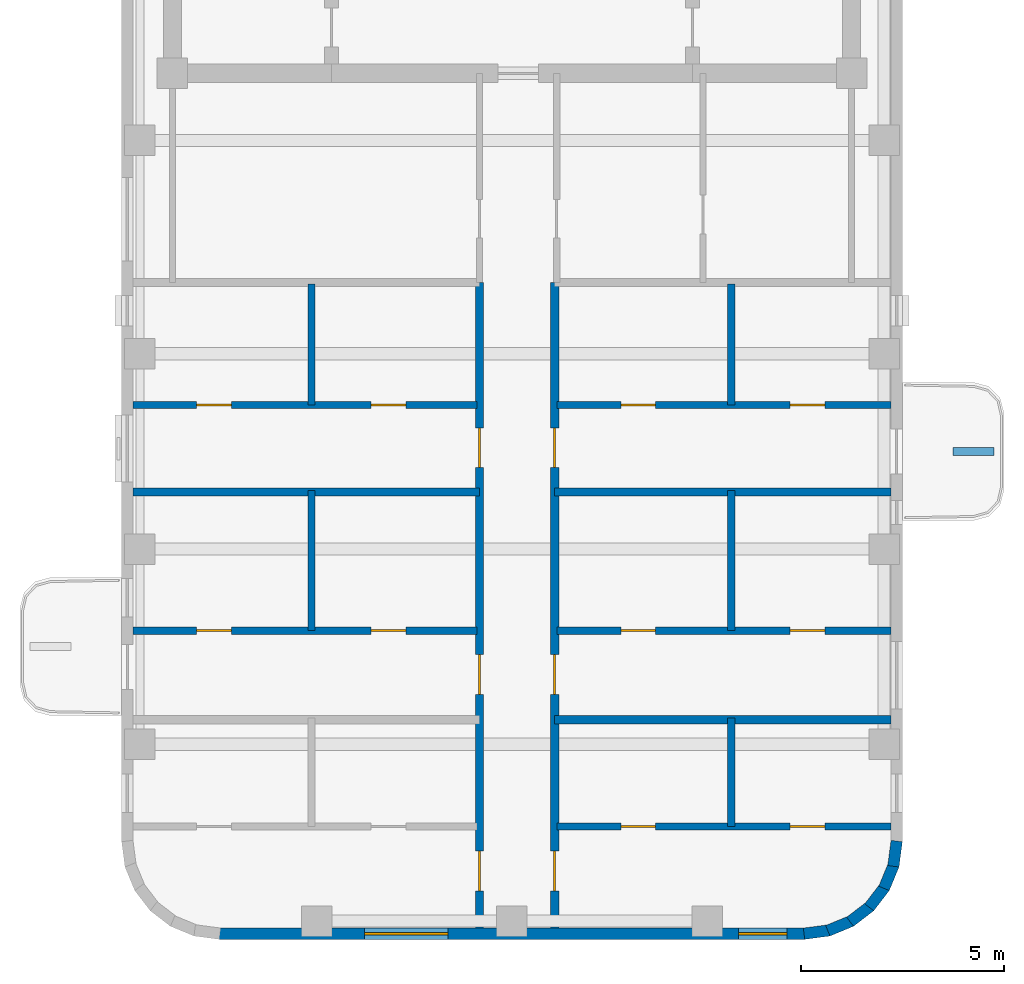
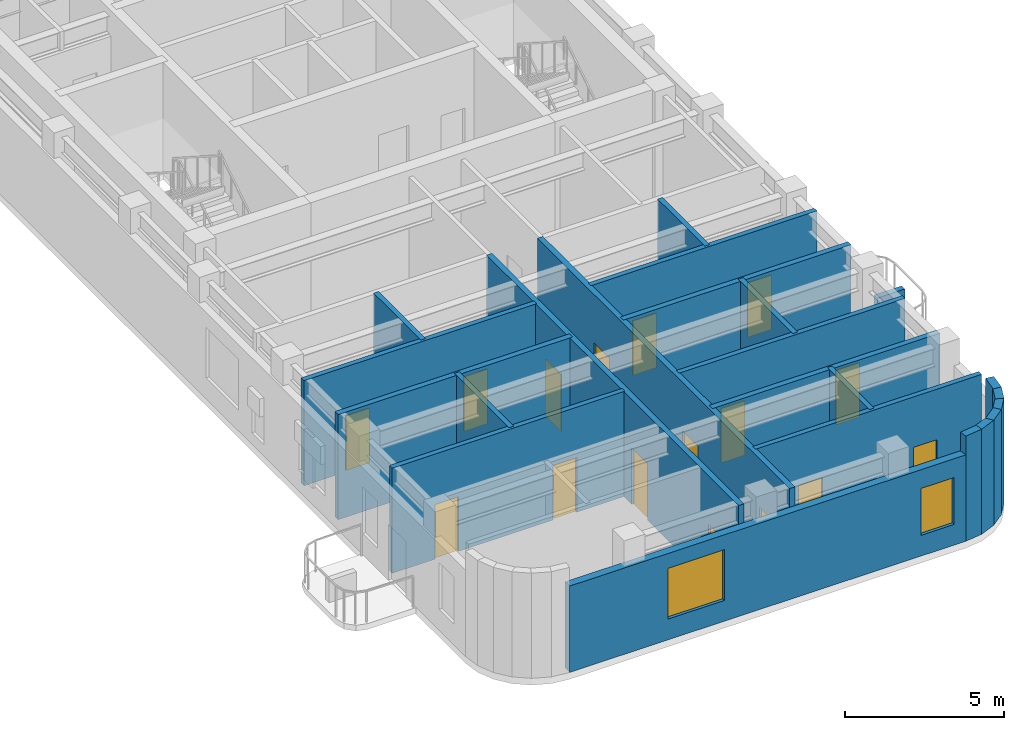
# One storey, part 2 of 6: 23 walls, 16 doors, 2 windows, 18 openings.
"""IFC4 building model written with IfcOpenShell, lengths in metres."""

from ifc_helpers import new_model, si_unit, direction, frame, frame_2d, origin, place, context, subcontext, project, spatial, rectangle, extrude, material, layer, layer_set, type_object, element, fill, save


model = new_model("IFC4")

# Units and contexts
model_context = context("Model", 3, precision=1e-05, world=origin(), true_north=direction((0.0, 1.0)))
body_context = subcontext(model_context, "Body", "Model", "MODEL_VIEW")
ifc_project = project(units=[si_unit("LENGTHUNIT", "METRE"), si_unit("AREAUNIT", "SQUARE_METRE"), si_unit("VOLUMEUNIT", "CUBIC_METRE"), si_unit("PLANEANGLEUNIT", "RADIAN"), si_unit("MASSUNIT", "GRAM", prefix="KILO")], contexts=[model_context])

# Site, building, storey
site_placement = place(None, origin())
site = spatial("IfcSite", under=ifc_project, at=site_placement, CompositionType="ELEMENT")
building_placement = place(site_placement, origin())
building = spatial("IfcBuilding", under=site, at=building_placement, Name="Orvandelia Arch Residences", CompositionType="ELEMENT")
storey_placement = place(building_placement, frame((0.0, 0.0, 248.39990234375)))
storey = spatial("IfcBuildingStorey", under=building, at=storey_placement, Name="L65", CompositionType="ELEMENT", Elevation=248.39990234375)

# Wall, openings, doors
ifc_material_1 = material(Name="Fire-Rated Corridor Partition")
ifc_layer_1 = layer(ifc_material_1, 0.199951171875, Name="Fire-Rated Corridor Partition")
ifc_layer_set_1 = layer_set([ifc_layer_1], Name="Fire-Rated Corridor Partition")
wall_type_1 = type_object("IfcWallType", Name="WL-CORR-200", PredefinedType="PARTITIONING", material=ifc_layer_set_1)
wall_1_placement = place(storey_placement, frame((13.60009765625, 9.8798828125, 0.0), z_axis=(0.0, 0.0, 1.0), x_axis=(0.0, 1.0, 0.0)))
wall_1 = element("IfcWall", 1, at=wall_1_placement, inside=storey, type_object=wall_type_1, Name="Interior Partition Wall WL-L65-WC-W", PredefinedType="PARTITIONING", context=body_context, shape_type="SweptSolid", body=[
    extrude(rectangle(XDim=15.8701171875, YDim=0.199951171875, at=frame_2d((7.93505859375, 0.0))), origin(), (0.0, 0.0, 1.0), 4.0400390625),
])
opening_1_placement = place(wall_1_placement, frame((0.907958984375, 0.0, 0.0)))
opening_1 = element("IfcOpeningElement", 2, at=opening_1_placement, cuts=wall_1, Name="Opening D1", PredefinedType="OPENING", context=body_context, shape_type="SweptSolid", body=[
    extrude(rectangle(XDim=0.97998046875, YDim=2.179931640625, at=frame_2d((0.489990234375, 1.08984375))), frame((0.0, 0.10986328125, 0.0), z_axis=(0.0, -1.0, 0.0), x_axis=(1.0, 0.0, 0.0)), (0.0, 0.0, 1.0), 0.219970703125),
])
opening_2_placement = place(wall_1_placement, frame((5.74609375, 0.0, 0.0)))
opening_2 = element("IfcOpeningElement", 3, at=opening_2_placement, cuts=wall_1, Name="Opening D1", PredefinedType="OPENING", context=body_context, shape_type="SweptSolid", body=[
    extrude(rectangle(XDim=0.97998046875, YDim=2.179931640625, at=frame_2d((0.489990234375, 1.08984375))), frame((0.0, 0.10986328125, 0.0), z_axis=(0.0, -1.0, 0.0), x_axis=(1.0, 0.0, 0.0)), (0.0, 0.0, 1.0), 0.219970703125),
])
opening_3_placement = place(wall_1_placement, frame((11.320068359375, 0.0, 0.0)))
opening_3 = element("IfcOpeningElement", 4, at=opening_3_placement, cuts=wall_1, Name="Opening D1", PredefinedType="OPENING", context=body_context, shape_type="SweptSolid", body=[
    extrude(rectangle(XDim=0.97998046875, YDim=2.179931640625, at=frame_2d((0.489990234375, 1.08984375))), frame((0.0, 0.10986328125, 0.0), z_axis=(0.0, -1.0, 0.0), x_axis=(1.0, 0.0, 0.0)), (0.0, 0.0, 1.0), 0.219970703125),
])
ifc_material_2 = material(Name="Solid-Core Timber Acoustic Fire Door", Category="wood")
door_type_1 = type_object("IfcDoorType", Name="DR-ENT-980", OperationType="NOTDEFINED", PredefinedType="DOOR", material=ifc_material_2)
door_1_placement = place(opening_1_placement, origin())
door_1 = element("IfcDoor", 5, at=door_1_placement, inside=storey, type_object=door_type_1, Name="Unit L65-01 Entrance Door", OperationType="SINGLE_SWING_LEFT", OverallHeight=2.179931640625, OverallWidth=0.97998046875, PredefinedType="DOOR", context=body_context, shape_type="SweptSolid", body=[
    extrude(rectangle(XDim=0.97998046875, YDim=2.179931640625, at=frame_2d((0.489990234375, 1.08984375))), frame((0.0, 0.02490234375, 0.0), z_axis=(0.0, -1.0, 0.0), x_axis=(1.0, 0.0, 0.0)), (0.0, 0.0, 1.0), 0.050048828125),
])
fill(opening_1, door_1)
door_2_placement = place(opening_2_placement, origin())
door_2 = element("IfcDoor", 6, at=door_2_placement, inside=storey, type_object=door_type_1, Name="Unit L65-02 Entrance Door", OperationType="SINGLE_SWING_RIGHT", OverallHeight=2.179931640625, OverallWidth=0.97998046875, PredefinedType="DOOR", context=body_context, shape_type="SweptSolid", body=[
    extrude(rectangle(XDim=0.97998046875, YDim=2.179931640625, at=frame_2d((0.489990234375, 1.08984375))), frame((0.0, 0.02490234375, 0.0), z_axis=(0.0, -1.0, 0.0), x_axis=(1.0, 0.0, 0.0)), (0.0, 0.0, 1.0), 0.050048828125),
])
fill(opening_2, door_2)
door_3_placement = place(opening_3_placement, origin())
door_3 = element("IfcDoor", 7, at=door_3_placement, inside=storey, type_object=door_type_1, Name="Unit L65-03 Entrance Door", OperationType="SINGLE_SWING_LEFT", OverallHeight=2.179931640625, OverallWidth=0.97998046875, PredefinedType="DOOR", context=body_context, shape_type="SweptSolid", body=[
    extrude(rectangle(XDim=0.97998046875, YDim=2.179931640625, at=frame_2d((0.489990234375, 1.08984375))), frame((0.0, 0.02490234375, 0.0), z_axis=(0.0, -1.0, 0.0), x_axis=(1.0, 0.0, 0.0)), (0.0, 0.0, 1.0), 0.050048828125),
])
fill(opening_3, door_3)

wall_2_placement = place(storey_placement, frame((15.449951171875, 9.8798828125, 0.0), z_axis=(0.0, 0.0, 1.0), x_axis=(0.0, 1.0, 0.0)))
wall_2 = element("IfcWall", 8, at=wall_2_placement, inside=storey, type_object=wall_type_1, Name="Interior Partition Wall WL-L65-WC-E", PredefinedType="PARTITIONING", context=body_context, shape_type="SweptSolid", body=[
    extrude(rectangle(XDim=15.8701171875, YDim=0.199951171875, at=frame_2d((7.93505859375, 0.0))), origin(), (0.0, 0.0, 1.0), 4.0400390625),
])
opening_4_placement = place(wall_2_placement, frame((0.907958984375, 0.0, 0.0)))
opening_4 = element("IfcOpeningElement", 9, at=opening_4_placement, cuts=wall_2, Name="Opening D1", PredefinedType="OPENING", context=body_context, shape_type="SweptSolid", body=[
    extrude(rectangle(XDim=0.97998046875, YDim=2.179931640625, at=frame_2d((0.489990234375, 1.08984375))), frame((0.0, 0.10986328125, 0.0), z_axis=(0.0, -1.0, 0.0), x_axis=(1.0, 0.0, 0.0)), (0.0, 0.0, 1.0), 0.219970703125),
])
opening_5_placement = place(wall_2_placement, frame((5.74609375, 0.0, 0.0)))
opening_5 = element("IfcOpeningElement", 10, at=opening_5_placement, cuts=wall_2, Name="Opening D1", PredefinedType="OPENING", context=body_context, shape_type="SweptSolid", body=[
    extrude(rectangle(XDim=0.97998046875, YDim=2.179931640625, at=frame_2d((0.489990234375, 1.08984375))), frame((0.0, 0.10986328125, 0.0), z_axis=(0.0, -1.0, 0.0), x_axis=(1.0, 0.0, 0.0)), (0.0, 0.0, 1.0), 0.219970703125),
])
opening_6_placement = place(wall_2_placement, frame((11.320068359375, 0.0, 0.0)))
opening_6 = element("IfcOpeningElement", 11, at=opening_6_placement, cuts=wall_2, Name="Opening D1", PredefinedType="OPENING", context=body_context, shape_type="SweptSolid", body=[
    extrude(rectangle(XDim=0.97998046875, YDim=2.179931640625, at=frame_2d((0.489990234375, 1.08984375))), frame((0.0, 0.10986328125, 0.0), z_axis=(0.0, -1.0, 0.0), x_axis=(1.0, 0.0, 0.0)), (0.0, 0.0, 1.0), 0.219970703125),
])
door_4_placement = place(opening_4_placement, origin())
door_4 = element("IfcDoor", 12, at=door_4_placement, inside=storey, type_object=door_type_1, Name="Unit L65-04 Entrance Door", OperationType="SINGLE_SWING_RIGHT", OverallHeight=2.179931640625, OverallWidth=0.97998046875, PredefinedType="DOOR", context=body_context, shape_type="SweptSolid", body=[
    extrude(rectangle(XDim=0.97998046875, YDim=2.179931640625, at=frame_2d((0.489990234375, 1.08984375))), frame((0.0, 0.02490234375, 0.0), z_axis=(0.0, -1.0, 0.0), x_axis=(1.0, 0.0, 0.0)), (0.0, 0.0, 1.0), 0.050048828125),
])
fill(opening_4, door_4)
door_5_placement = place(opening_5_placement, origin())
door_5 = element("IfcDoor", 13, at=door_5_placement, inside=storey, type_object=door_type_1, Name="Unit L65-05 Entrance Door", OperationType="SINGLE_SWING_LEFT", OverallHeight=2.179931640625, OverallWidth=0.97998046875, PredefinedType="DOOR", context=body_context, shape_type="SweptSolid", body=[
    extrude(rectangle(XDim=0.97998046875, YDim=2.179931640625, at=frame_2d((0.489990234375, 1.08984375))), frame((0.0, 0.02490234375, 0.0), z_axis=(0.0, -1.0, 0.0), x_axis=(1.0, 0.0, 0.0)), (0.0, 0.0, 1.0), 0.050048828125),
])
fill(opening_5, door_5)
door_6_placement = place(opening_6_placement, origin())
door_6 = element("IfcDoor", 14, at=door_6_placement, inside=storey, type_object=door_type_1, Name="Unit L65-06 Entrance Door", OperationType="SINGLE_SWING_RIGHT", OverallHeight=2.179931640625, OverallWidth=0.97998046875, PredefinedType="DOOR", context=body_context, shape_type="SweptSolid", body=[
    extrude(rectangle(XDim=0.97998046875, YDim=2.179931640625, at=frame_2d((0.489990234375, 1.08984375))), frame((0.0, 0.02490234375, 0.0), z_axis=(0.0, -1.0, 0.0), x_axis=(1.0, 0.0, 0.0)), (0.0, 0.0, 1.0), 0.050048828125),
])
fill(opening_6, door_6)

# Walls
ifc_material_3 = material(Name="Concrete C40/50", Category="concrete")
ifc_layer_2 = layer(ifc_material_3, 0.199951171875, Name="Concrete C40/50", Category="concrete")
ifc_layer_set_2 = layer_set([ifc_layer_2], Name="Concrete C40/50")
wall_type_2 = type_object("IfcWallType", Name="WL-DEM-200", PredefinedType="SOLIDWALL", material=ifc_layer_set_2)
wall_3_placement = place(storey_placement, frame((5.080078125, 20.60009765625, 0.0), z_axis=(0.0, 0.0, 1.0), x_axis=(1.0, 0.0, 0.0)))
element("IfcWall", 15, at=wall_3_placement, inside=storey, type_object=wall_type_2, Name="Interior Partition Wall WL-L65-DEM-WL-206", PredefinedType="SOLIDWALL", context=body_context, shape_type="SweptSolid", body=[
    extrude(rectangle(XDim=8.52001953125, YDim=0.199951171875, at=frame_2d((4.260009765625, 0.0))), origin(), (0.0, 0.0, 1.0), 4.0400390625),
])
for number, where, z_axis, x_axis, name in (
    (16, (15.449951171875, 15.0, 0.0), (0.0, 0.0, 1.0), (1.0, 0.0, 0.0), "Interior Partition Wall WL-L65-DEM-WR-150"),
    (17, (15.449951171875, 20.60009765625, 0.0), (0.0, 0.0, 1.0), (1.0, 0.0, 0.0), "Interior Partition Wall WL-L65-DEM-WR-206"),
):
    element("IfcWall", number, at=place(storey_placement, frame(where, z_axis=z_axis, x_axis=x_axis)), inside=storey, type_object=wall_type_2, Name=name, PredefinedType="SOLIDWALL", context=body_context, shape_type="SweptSolid", body=[
        extrude(rectangle(XDim=8.27001953125, YDim=0.199951171875, at=frame_2d((4.135009765625, 0.0))), origin(), (0.0, 0.0, 1.0), 4.0400390625),
    ])
ifc_material_4 = material(Name="Precast concrete C40/50", Category="concrete")
ifc_layer_3 = layer(ifc_material_4, 0.280029296875, Name="Precast concrete C40/50", Category="concrete")
ifc_layer_set_3 = layer_set([ifc_layer_3], Name="Precast concrete C40/50")
wall_type_3 = type_object("IfcWallType", Name="WL-EXT-STONE-280", PredefinedType="STANDARD", material=ifc_layer_set_3)
for number, where, z_axis, x_axis, name in (
    (18, (23.861083984375, 12.018310546875, 0.0), (0.0, 0.0, 1.0), (-0.130555323746, -0.9914410257, 0.0), "Coral-Limestone Precast Facade Wall L65-015"),
    (19, (23.788818359375, 11.432373046875, 0.0), (0.0, 0.0, 1.0), (-0.382317370307, -0.924031075431, 0.0), "Coral-Limestone Precast Facade Wall L65-016"),
    (20, (23.5673828125, 10.88525390625, 0.0), (0.0, 0.0, 1.0), (-0.608693302629, -0.793405610854, 0.0), "Coral-Limestone Precast Facade Wall L65-017"),
    (21, (23.2119140625, 10.4140625, 0.0), (0.0, 0.0, 1.0), (-0.793405610854, -0.608693302629, 0.0), "Coral-Limestone Precast Facade Wall L65-018"),
    (22, (22.746337890625, 10.05078125, 0.0), (0.0, 0.0, 1.0), (-0.92389335771, -0.382650053678, 0.0), "Coral-Limestone Precast Facade Wall L65-019"),
    (23, (22.202880859375, 9.820556640625, 0.0), (0.0, 0.0, 1.0), (-0.9914410257, -0.130555323746, 0.0), "Coral-Limestone Precast Facade Wall L65-020"),
):
    element("IfcWall", number, at=place(storey_placement, frame(where, z_axis=z_axis, x_axis=x_axis)), inside=storey, type_object=wall_type_3, Name=name, PredefinedType="STANDARD", context=body_context, shape_type="SweptSolid", body=[
        extrude(rectangle(XDim=0.62646484375, YDim=0.280029296875, at=frame_2d((0.313232421875, 0.0))), origin(), (0.0, 0.0, 1.0), 4.0400390625),
    ])

# Wall, openings, windows
wall_4_placement = place(storey_placement, frame((21.60009765625, 9.739990234375, 0.0), z_axis=(0.0, 0.0, 1.0), x_axis=(-1.0, 0.0, 0.0)))
wall_4 = element("IfcWall", 24, at=wall_4_placement, inside=storey, type_object=wall_type_3, Name="Coral-Limestone Precast Facade Wall L65-021", PredefinedType="STANDARD", context=body_context, shape_type="SweptSolid", body=[
    extrude(rectangle(XDim=14.400146484375, YDim=0.280029296875, at=frame_2d((7.2001953125, 0.0))), origin(), (0.0, 0.0, 1.0), 3.320068359375),
])
opening_7_placement = place(wall_4_placement, frame((8.777587890625, 0.0, 0.800048828125)))
opening_7 = element("IfcOpeningElement", 25, at=opening_7_placement, cuts=wall_4, Name="Opening W8", PredefinedType="OPENING", context=body_context, shape_type="SweptSolid", body=[
    extrude(rectangle(XDim=2.050048828125, YDim=1.949951171875, at=frame_2d((1.02490234375, 0.97509765625))), frame((0.0, 0.14990234375, 0.0), z_axis=(0.0, -1.0, 0.0), x_axis=(1.0, 0.0, 0.0)), (0.0, 0.0, 1.0), 0.300048828125),
])
opening_8_placement = place(wall_4_placement, frame((0.4326171875, 0.0, 0.800048828125)))
opening_8 = element("IfcOpeningElement", 26, at=opening_8_placement, cuts=wall_4, Name="Opening W3", PredefinedType="OPENING", context=body_context, shape_type="SweptSolid", body=[
    extrude(rectangle(XDim=1.199951171875, YDim=1.800048828125, at=frame_2d((0.60009765625, 0.89990234375))), frame((0.0, 0.14990234375, 0.0), z_axis=(0.0, -1.0, 0.0), x_axis=(1.0, 0.0, 0.0)), (0.0, 0.0, 1.0), 0.300048828125),
])
ifc_material_5 = material(Name="Tempered Low-E Insulated Glazing", Category="glass")
window_type_1 = type_object("IfcWindowType", Name="WIN-RES-1200x1800", PartitioningType="SINGLE_PANEL", PredefinedType="WINDOW", material=ifc_material_5)
window_1_placement = place(opening_8_placement, origin())
window_1 = element("IfcWindow", 27, at=window_1_placement, inside=storey, type_object=window_type_1, Name="Recessed Punched Window L65-008", OverallHeight=1.800048828125, OverallWidth=1.199951171875, PartitioningType="SINGLE_PANEL", PredefinedType="WINDOW", context=body_context, shape_type="SweptSolid", body=[
    extrude(rectangle(XDim=1.199951171875, YDim=1.800048828125, at=frame_2d((0.60009765625, 0.89990234375))), frame((0.0, 0.030029296875, 0.0), z_axis=(0.0, -1.0, 0.0), x_axis=(1.0, 0.0, 0.0)), (0.0, 0.0, 1.0), 0.06005859375),
])
fill(opening_8, window_1)
window_type_2 = type_object("IfcWindowType", Name="WIN-UPP-2050x1950", PartitioningType="SINGLE_PANEL", PredefinedType="WINDOW", material=ifc_material_5)
window_2_placement = place(opening_7_placement, origin())
window_2 = element("IfcWindow", 28, at=window_2_placement, inside=storey, type_object=window_type_2, Name="Recessed Punched Window L65-007", OverallHeight=1.949951171875, OverallWidth=2.050048828125, PartitioningType="SINGLE_PANEL", PredefinedType="WINDOW", context=body_context, shape_type="SweptSolid", body=[
    extrude(rectangle(XDim=2.050048828125, YDim=1.949951171875, at=frame_2d((1.02490234375, 0.97509765625))), frame((0.0, 0.030029296875, 0.0), z_axis=(0.0, -1.0, 0.0), x_axis=(1.0, 0.0, 0.0)), (0.0, 0.0, 1.0), 0.06005859375),
])
fill(opening_7, window_2)

# Wall
ifc_layer_4 = layer(ifc_material_4, 0.199951171875, Name="Precast concrete C40/50", Category="concrete")
ifc_layer_set_4 = layer_set([ifc_layer_4], Name="Precast concrete C40/50")
wall_type_4 = type_object("IfcWallType", Name="WL-PLANTER-200", PredefinedType="MOVABLE", material=ifc_layer_set_4)
wall_5_placement = place(storey_placement, frame((25.25, 21.60009765625, 0.0), z_axis=(0.0, 0.0, 1.0), x_axis=(1.0, 0.0, 0.0)))
element("IfcWall", 29, at=wall_5_placement, inside=storey, type_object=wall_type_4, Name="Balcony Precast Tree Planter BAL-L65-W2", PredefinedType="MOVABLE", context=body_context, shape_type="SweptSolid", body=[
    extrude(rectangle(XDim=1.0, YDim=0.199951171875, at=frame_2d((0.5, 0.0))), origin(), (0.0, 0.0, 1.0), 0.85009765625),
])

# Wall, openings, doors
ifc_material_6 = material(Name="Moisture-Resistant Plumbing Wall")
ifc_layer_5 = layer(ifc_material_6, 0.179931640625, Name="Moisture-Resistant Plumbing Wall")
ifc_layer_set_5 = layer_set([ifc_layer_5], Name="Moisture-Resistant Plumbing Wall")
wall_type_5 = type_object("IfcWallType", Name="WL-WET-180", PredefinedType="PLUMBINGWALL", material=ifc_layer_set_5)
wall_6_placement = place(storey_placement, frame((5.080078125, 17.19189453125, 0.0), z_axis=(0.0, 0.0, 1.0), x_axis=(1.0, 0.0, 0.0)))
wall_6 = element("IfcWall", 30, at=wall_6_placement, inside=storey, type_object=wall_type_5, Name="Interior Partition Wall WL-L65-U02-HZ", PredefinedType="PLUMBINGWALL", context=body_context, shape_type="SweptSolid", body=[
    extrude(rectangle(XDim=8.4599609375, YDim=0.179931640625, at=frame_2d((4.22998046875, 0.0))), origin(), (0.0, 0.0, 1.0), 4.0400390625),
])
opening_9_placement = place(wall_6_placement, frame((1.56005859375, 0.0, 0.0)))
opening_9 = element("IfcOpeningElement", 31, at=opening_9_placement, cuts=wall_6, Name="Opening D4", PredefinedType="OPENING", context=body_context, shape_type="SweptSolid", body=[
    extrude(rectangle(XDim=0.860107421875, YDim=2.10009765625, at=frame_2d((0.43017578125, 1.050048828125))), frame((0.0, 0.10009765625, 0.0), z_axis=(0.0, -1.0, 0.0), x_axis=(1.0, 0.0, 0.0)), (0.0, 0.0, 1.0), 0.199951171875),
])
opening_10_placement = place(wall_6_placement, frame((5.85009765625, 0.0, 0.0)))
opening_10 = element("IfcOpeningElement", 32, at=opening_10_placement, cuts=wall_6, Name="Opening D4", PredefinedType="OPENING", context=body_context, shape_type="SweptSolid", body=[
    extrude(rectangle(XDim=0.860107421875, YDim=2.10009765625, at=frame_2d((0.43017578125, 1.050048828125))), frame((0.0, 0.10009765625, 0.0), z_axis=(0.0, -1.0, 0.0), x_axis=(1.0, 0.0, 0.0)), (0.0, 0.0, 1.0), 0.199951171875),
])
ifc_material_7 = material(Name="Moisture-Sealed Timber Bathroom Door", Category="wood")
door_type_2 = type_object("IfcDoorType", Name="DR-WET-900", OperationType="NOTDEFINED", PredefinedType="DOOR", material=ifc_material_7)
door_7_placement = place(opening_9_placement, origin())
door_7 = element("IfcDoor", 33, at=door_7_placement, inside=storey, type_object=door_type_2, Name="DR-L65-U02-KIT", OperationType="SINGLE_SWING_RIGHT", OverallHeight=2.10009765625, OverallWidth=0.860107421875, PredefinedType="DOOR", context=body_context, shape_type="SweptSolid", body=[
    extrude(rectangle(XDim=0.860107421875, YDim=2.10009765625, at=frame_2d((0.43017578125, 1.050048828125))), frame((0.0, 0.02490234375, 0.0), z_axis=(0.0, -1.0, 0.0), x_axis=(1.0, 0.0, 0.0)), (0.0, 0.0, 1.0), 0.050048828125),
])
fill(opening_9, door_7)
door_8_placement = place(opening_10_placement, origin())
door_8 = element("IfcDoor", 34, at=door_8_placement, inside=storey, type_object=door_type_2, Name="DR-L65-U02-BTH", OperationType="SINGLE_SWING_LEFT", OverallHeight=2.10009765625, OverallWidth=0.860107421875, PredefinedType="DOOR", context=body_context, shape_type="SweptSolid", body=[
    extrude(rectangle(XDim=0.860107421875, YDim=2.10009765625, at=frame_2d((0.43017578125, 1.050048828125))), frame((0.0, 0.02490234375, 0.0), z_axis=(0.0, -1.0, 0.0), x_axis=(1.0, 0.0, 0.0)), (0.0, 0.0, 1.0), 0.050048828125),
])
fill(opening_10, door_8)

# Wall
wall_7_placement = place(storey_placement, frame((9.469970703125, 17.19189453125, 0.0), z_axis=(0.0, 0.0, 1.0), x_axis=(0.0, 1.0, 0.0)))
element("IfcWall", 35, at=wall_7_placement, inside=storey, type_object=wall_type_5, Name="Interior Partition Wall WL-L65-U02-V1", PredefinedType="PLUMBINGWALL", context=body_context, shape_type="SweptSolid", body=[
    extrude(rectangle(XDim=3.447998046875, YDim=0.179931640625, at=frame_2d((1.72412109375, 0.0))), origin(), (0.0, 0.0, 1.0), 4.0400390625),
])

# Wall, openings, doors
wall_8_placement = place(storey_placement, frame((5.080078125, 22.739990234375, 0.0), z_axis=(0.0, 0.0, 1.0), x_axis=(1.0, 0.0, 0.0)))
wall_8 = element("IfcWall", 36, at=wall_8_placement, inside=storey, type_object=wall_type_5, Name="Interior Partition Wall WL-L65-U03-HZ", PredefinedType="PLUMBINGWALL", context=body_context, shape_type="SweptSolid", body=[
    extrude(rectangle(XDim=8.4599609375, YDim=0.179931640625, at=frame_2d((4.22998046875, 0.0))), origin(), (0.0, 0.0, 1.0), 4.0400390625),
])
opening_11_placement = place(wall_8_placement, frame((1.56005859375, 0.0, 0.0)))
opening_11 = element("IfcOpeningElement", 37, at=opening_11_placement, cuts=wall_8, Name="Opening D4", PredefinedType="OPENING", context=body_context, shape_type="SweptSolid", body=[
    extrude(rectangle(XDim=0.860107421875, YDim=2.10009765625, at=frame_2d((0.43017578125, 1.050048828125))), frame((0.0, 0.10009765625, 0.0), z_axis=(0.0, -1.0, 0.0), x_axis=(1.0, 0.0, 0.0)), (0.0, 0.0, 1.0), 0.199951171875),
])
opening_12_placement = place(wall_8_placement, frame((5.85009765625, 0.0, 0.0)))
opening_12 = element("IfcOpeningElement", 38, at=opening_12_placement, cuts=wall_8, Name="Opening D4", PredefinedType="OPENING", context=body_context, shape_type="SweptSolid", body=[
    extrude(rectangle(XDim=0.860107421875, YDim=2.10009765625, at=frame_2d((0.43017578125, 1.050048828125))), frame((0.0, 0.10009765625, 0.0), z_axis=(0.0, -1.0, 0.0), x_axis=(1.0, 0.0, 0.0)), (0.0, 0.0, 1.0), 0.199951171875),
])
door_9_placement = place(opening_11_placement, origin())
door_9 = element("IfcDoor", 39, at=door_9_placement, inside=storey, type_object=door_type_2, Name="DR-L65-U03-KIT", OperationType="SINGLE_SWING_LEFT", OverallHeight=2.10009765625, OverallWidth=0.860107421875, PredefinedType="DOOR", context=body_context, shape_type="SweptSolid", body=[
    extrude(rectangle(XDim=0.860107421875, YDim=2.10009765625, at=frame_2d((0.43017578125, 1.050048828125))), frame((0.0, 0.02490234375, 0.0), z_axis=(0.0, -1.0, 0.0), x_axis=(1.0, 0.0, 0.0)), (0.0, 0.0, 1.0), 0.050048828125),
])
fill(opening_11, door_9)
door_10_placement = place(opening_12_placement, origin())
door_10 = element("IfcDoor", 40, at=door_10_placement, inside=storey, type_object=door_type_2, Name="DR-L65-U03-BTH", OperationType="SINGLE_SWING_RIGHT", OverallHeight=2.10009765625, OverallWidth=0.860107421875, PredefinedType="DOOR", context=body_context, shape_type="SweptSolid", body=[
    extrude(rectangle(XDim=0.860107421875, YDim=2.10009765625, at=frame_2d((0.43017578125, 1.050048828125))), frame((0.0, 0.02490234375, 0.0), z_axis=(0.0, -1.0, 0.0), x_axis=(1.0, 0.0, 0.0)), (0.0, 0.0, 1.0), 0.050048828125),
])
fill(opening_12, door_10)

# Wall
wall_9_placement = place(storey_placement, frame((9.469970703125, 22.739990234375, 0.0), z_axis=(0.0, 0.0, 1.0), x_axis=(0.0, 1.0, 0.0)))
element("IfcWall", 41, at=wall_9_placement, inside=storey, type_object=wall_type_5, Name="Interior Partition Wall WL-L65-U03-V1", PredefinedType="PLUMBINGWALL", context=body_context, shape_type="SweptSolid", body=[
    extrude(rectangle(XDim=2.97998046875, YDim=0.179931640625, at=frame_2d((1.489990234375, 0.0))), origin(), (0.0, 0.0, 1.0), 4.0400390625),
])

# Wall, openings, doors
wall_10_placement = place(storey_placement, frame((15.510009765625, 12.3759765625, 0.0), z_axis=(0.0, 0.0, 1.0), x_axis=(1.0, 0.0, 0.0)))
wall_10 = element("IfcWall", 42, at=wall_10_placement, inside=storey, type_object=wall_type_5, Name="Interior Partition Wall WL-L65-U04-HZ", PredefinedType="PLUMBINGWALL", context=body_context, shape_type="SweptSolid", body=[
    extrude(rectangle(XDim=8.2099609375, YDim=0.179931640625, at=frame_2d((4.10498046875, 0.0))), origin(), (0.0, 0.0, 1.0), 4.0400390625),
])
opening_13_placement = place(wall_10_placement, frame((1.56494140625, 0.0, 0.0)))
opening_13 = element("IfcOpeningElement", 43, at=opening_13_placement, cuts=wall_10, Name="Opening D4", PredefinedType="OPENING", context=body_context, shape_type="SweptSolid", body=[
    extrude(rectangle(XDim=0.860107421875, YDim=2.10009765625, at=frame_2d((0.43017578125, 1.050048828125))), frame((0.0, 0.10009765625, 0.0), z_axis=(0.0, -1.0, 0.0), x_axis=(1.0, 0.0, 0.0)), (0.0, 0.0, 1.0), 0.199951171875),
])
opening_14_placement = place(wall_10_placement, frame((5.72998046875, 0.0, 0.0)))
opening_14 = element("IfcOpeningElement", 44, at=opening_14_placement, cuts=wall_10, Name="Opening D4", PredefinedType="OPENING", context=body_context, shape_type="SweptSolid", body=[
    extrude(rectangle(XDim=0.860107421875, YDim=2.10009765625, at=frame_2d((0.43017578125, 1.050048828125))), frame((0.0, 0.10009765625, 0.0), z_axis=(0.0, -1.0, 0.0), x_axis=(1.0, 0.0, 0.0)), (0.0, 0.0, 1.0), 0.199951171875),
])
door_11_placement = place(opening_13_placement, origin())
door_11 = element("IfcDoor", 45, at=door_11_placement, inside=storey, type_object=door_type_2, Name="DR-L65-U04-KIT", OperationType="SINGLE_SWING_RIGHT", OverallHeight=2.10009765625, OverallWidth=0.860107421875, PredefinedType="DOOR", context=body_context, shape_type="SweptSolid", body=[
    extrude(rectangle(XDim=0.860107421875, YDim=2.10009765625, at=frame_2d((0.43017578125, 1.050048828125))), frame((0.0, 0.02490234375, 0.0), z_axis=(0.0, -1.0, 0.0), x_axis=(1.0, 0.0, 0.0)), (0.0, 0.0, 1.0), 0.050048828125),
])
fill(opening_13, door_11)
door_12_placement = place(opening_14_placement, origin())
door_12 = element("IfcDoor", 46, at=door_12_placement, inside=storey, type_object=door_type_2, Name="DR-L65-U04-BTH", OperationType="SINGLE_SWING_LEFT", OverallHeight=2.10009765625, OverallWidth=0.860107421875, PredefinedType="DOOR", context=body_context, shape_type="SweptSolid", body=[
    extrude(rectangle(XDim=0.860107421875, YDim=2.10009765625, at=frame_2d((0.43017578125, 1.050048828125))), frame((0.0, 0.02490234375, 0.0), z_axis=(0.0, -1.0, 0.0), x_axis=(1.0, 0.0, 0.0)), (0.0, 0.0, 1.0), 0.050048828125),
])
fill(opening_14, door_12)

# Wall
wall_11_placement = place(storey_placement, frame((19.7900390625, 12.3759765625, 0.0), z_axis=(0.0, 0.0, 1.0), x_axis=(0.0, 1.0, 0.0)))
element("IfcWall", 47, at=wall_11_placement, inside=storey, type_object=wall_type_5, Name="Interior Partition Wall WL-L65-U04-V1", PredefinedType="PLUMBINGWALL", context=body_context, shape_type="SweptSolid", body=[
    extrude(rectangle(XDim=2.6640625, YDim=0.179931640625, at=frame_2d((1.33203125, 0.0))), origin(), (0.0, 0.0, 1.0), 4.0400390625),
])

# Wall, openings, doors
wall_12_placement = place(storey_placement, frame((15.510009765625, 17.19189453125, 0.0), z_axis=(0.0, 0.0, 1.0), x_axis=(1.0, 0.0, 0.0)))
wall_12 = element("IfcWall", 48, at=wall_12_placement, inside=storey, type_object=wall_type_5, Name="Interior Partition Wall WL-L65-U05-HZ", PredefinedType="PLUMBINGWALL", context=body_context, shape_type="SweptSolid", body=[
    extrude(rectangle(XDim=8.2099609375, YDim=0.179931640625, at=frame_2d((4.10498046875, 0.0))), origin(), (0.0, 0.0, 1.0), 4.0400390625),
])
opening_15_placement = place(wall_12_placement, frame((1.56494140625, 0.0, 0.0)))
opening_15 = element("IfcOpeningElement", 49, at=opening_15_placement, cuts=wall_12, Name="Opening D4", PredefinedType="OPENING", context=body_context, shape_type="SweptSolid", body=[
    extrude(rectangle(XDim=0.860107421875, YDim=2.10009765625, at=frame_2d((0.43017578125, 1.050048828125))), frame((0.0, 0.10009765625, 0.0), z_axis=(0.0, -1.0, 0.0), x_axis=(1.0, 0.0, 0.0)), (0.0, 0.0, 1.0), 0.199951171875),
])
opening_16_placement = place(wall_12_placement, frame((5.72998046875, 0.0, 0.0)))
opening_16 = element("IfcOpeningElement", 50, at=opening_16_placement, cuts=wall_12, Name="Opening D4", PredefinedType="OPENING", context=body_context, shape_type="SweptSolid", body=[
    extrude(rectangle(XDim=0.860107421875, YDim=2.10009765625, at=frame_2d((0.43017578125, 1.050048828125))), frame((0.0, 0.10009765625, 0.0), z_axis=(0.0, -1.0, 0.0), x_axis=(1.0, 0.0, 0.0)), (0.0, 0.0, 1.0), 0.199951171875),
])
door_13_placement = place(opening_15_placement, origin())
door_13 = element("IfcDoor", 51, at=door_13_placement, inside=storey, type_object=door_type_2, Name="DR-L65-U05-KIT", OperationType="SINGLE_SWING_LEFT", OverallHeight=2.10009765625, OverallWidth=0.860107421875, PredefinedType="DOOR", context=body_context, shape_type="SweptSolid", body=[
    extrude(rectangle(XDim=0.860107421875, YDim=2.10009765625, at=frame_2d((0.43017578125, 1.050048828125))), frame((0.0, 0.02490234375, 0.0), z_axis=(0.0, -1.0, 0.0), x_axis=(1.0, 0.0, 0.0)), (0.0, 0.0, 1.0), 0.050048828125),
])
fill(opening_15, door_13)
door_14_placement = place(opening_16_placement, origin())
door_14 = element("IfcDoor", 52, at=door_14_placement, inside=storey, type_object=door_type_2, Name="DR-L65-U05-BTH", OperationType="SINGLE_SWING_RIGHT", OverallHeight=2.10009765625, OverallWidth=0.860107421875, PredefinedType="DOOR", context=body_context, shape_type="SweptSolid", body=[
    extrude(rectangle(XDim=0.860107421875, YDim=2.10009765625, at=frame_2d((0.43017578125, 1.050048828125))), frame((0.0, 0.02490234375, 0.0), z_axis=(0.0, -1.0, 0.0), x_axis=(1.0, 0.0, 0.0)), (0.0, 0.0, 1.0), 0.050048828125),
])
fill(opening_16, door_14)

# Wall
wall_13_placement = place(storey_placement, frame((19.7900390625, 17.19189453125, 0.0), z_axis=(0.0, 0.0, 1.0), x_axis=(0.0, 1.0, 0.0)))
element("IfcWall", 53, at=wall_13_placement, inside=storey, type_object=wall_type_5, Name="Interior Partition Wall WL-L65-U05-V1", PredefinedType="PLUMBINGWALL", context=body_context, shape_type="SweptSolid", body=[
    extrude(rectangle(XDim=3.447998046875, YDim=0.179931640625, at=frame_2d((1.72412109375, 0.0))), origin(), (0.0, 0.0, 1.0), 4.0400390625),
])

# Wall, openings, doors
wall_14_placement = place(storey_placement, frame((15.510009765625, 22.739990234375, 0.0), z_axis=(0.0, 0.0, 1.0), x_axis=(1.0, 0.0, 0.0)))
wall_14 = element("IfcWall", 54, at=wall_14_placement, inside=storey, type_object=wall_type_5, Name="Interior Partition Wall WL-L65-U06-HZ", PredefinedType="PLUMBINGWALL", context=body_context, shape_type="SweptSolid", body=[
    extrude(rectangle(XDim=8.2099609375, YDim=0.179931640625, at=frame_2d((4.10498046875, 0.0))), origin(), (0.0, 0.0, 1.0), 4.0400390625),
])
opening_17_placement = place(wall_14_placement, frame((1.56494140625, 0.0, 0.0)))
opening_17 = element("IfcOpeningElement", 55, at=opening_17_placement, cuts=wall_14, Name="Opening D4", PredefinedType="OPENING", context=body_context, shape_type="SweptSolid", body=[
    extrude(rectangle(XDim=0.860107421875, YDim=2.10009765625, at=frame_2d((0.43017578125, 1.050048828125))), frame((0.0, 0.10009765625, 0.0), z_axis=(0.0, -1.0, 0.0), x_axis=(1.0, 0.0, 0.0)), (0.0, 0.0, 1.0), 0.199951171875),
])
opening_18_placement = place(wall_14_placement, frame((5.72998046875, 0.0, 0.0)))
opening_18 = element("IfcOpeningElement", 56, at=opening_18_placement, cuts=wall_14, Name="Opening D4", PredefinedType="OPENING", context=body_context, shape_type="SweptSolid", body=[
    extrude(rectangle(XDim=0.860107421875, YDim=2.10009765625, at=frame_2d((0.43017578125, 1.050048828125))), frame((0.0, 0.10009765625, 0.0), z_axis=(0.0, -1.0, 0.0), x_axis=(1.0, 0.0, 0.0)), (0.0, 0.0, 1.0), 0.199951171875),
])
door_15_placement = place(opening_17_placement, origin())
door_15 = element("IfcDoor", 57, at=door_15_placement, inside=storey, type_object=door_type_2, Name="DR-L65-U06-KIT", OperationType="SINGLE_SWING_RIGHT", OverallHeight=2.10009765625, OverallWidth=0.860107421875, PredefinedType="DOOR", context=body_context, shape_type="SweptSolid", body=[
    extrude(rectangle(XDim=0.860107421875, YDim=2.10009765625, at=frame_2d((0.43017578125, 1.050048828125))), frame((0.0, 0.02490234375, 0.0), z_axis=(0.0, -1.0, 0.0), x_axis=(1.0, 0.0, 0.0)), (0.0, 0.0, 1.0), 0.050048828125),
])
fill(opening_17, door_15)
door_16_placement = place(opening_18_placement, origin())
door_16 = element("IfcDoor", 58, at=door_16_placement, inside=storey, type_object=door_type_2, Name="DR-L65-U06-BTH", OperationType="SINGLE_SWING_LEFT", OverallHeight=2.10009765625, OverallWidth=0.860107421875, PredefinedType="DOOR", context=body_context, shape_type="SweptSolid", body=[
    extrude(rectangle(XDim=0.860107421875, YDim=2.10009765625, at=frame_2d((0.43017578125, 1.050048828125))), frame((0.0, 0.02490234375, 0.0), z_axis=(0.0, -1.0, 0.0), x_axis=(1.0, 0.0, 0.0)), (0.0, 0.0, 1.0), 0.050048828125),
])
fill(opening_18, door_16)

# Wall
wall_15_placement = place(storey_placement, frame((19.7900390625, 22.739990234375, 0.0), z_axis=(0.0, 0.0, 1.0), x_axis=(0.0, 1.0, 0.0)))
element("IfcWall", 59, at=wall_15_placement, inside=storey, type_object=wall_type_5, Name="Interior Partition Wall WL-L65-U06-V1", PredefinedType="PLUMBINGWALL", context=body_context, shape_type="SweptSolid", body=[
    extrude(rectangle(XDim=2.97998046875, YDim=0.179931640625, at=frame_2d((1.489990234375, 0.0))), origin(), (0.0, 0.0, 1.0), 4.0400390625),
])

save(model, "model.ifc")
